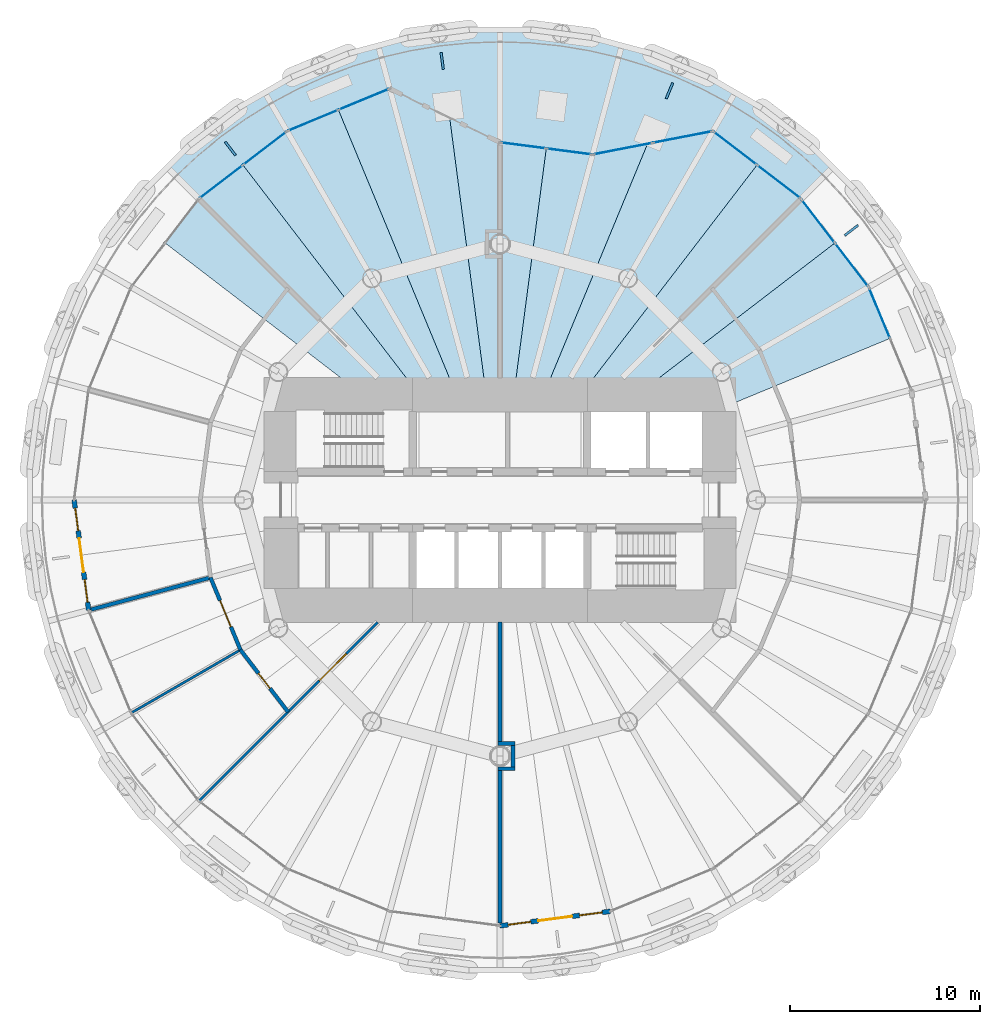
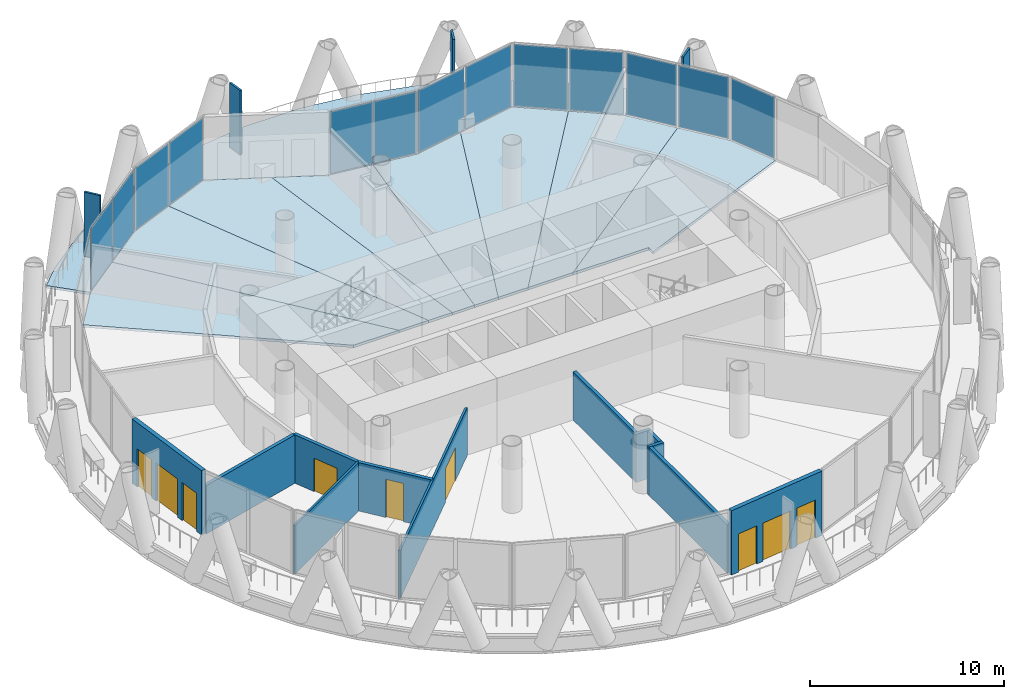
# One storey, part 9 of 15: 17 plates, 12 walls, 9 slabs, 5 doors, 4 windows, 9 openings, 7 elements without a shape of their own.
"""IFC4 building model written with IfcOpenShell, lengths in metres."""

import ifcopenshell
import ifcopenshell.guid

model = None  # the IFC model being written
_history = None  # IfcOwnerHistory: only IFC2X3 demands one
_inside = {}  # id of a spatial element -> (the spatial element, [elements in it])
_under = {}  # id of a project, library or spatial element -> (it, [spatial elements below it])
_declared = {}  # id of a project -> (the project, [libraries it declares])
_typed = {}  # id of a type object -> (the type object, [elements of that type])
_made_of = {}  # id of a material, layer set ... -> (it, [elements and type objects made of it])


def new_model(schema):
    """Start an empty IFC model of exactly this schema.

    Asked for "IFC4X3", IfcOpenShell would pick the latest addendum, in which some entities
    have other attributes; the version numbers below select the first issue.
    IFC2X3 requires an IfcOwnerHistory on every rooted entity: one is made here for all.
    """
    global model, _history
    if schema == "IFC4X3":
        model = ifcopenshell.file(schema_version=(4, 3, 0, 0))
    else:
        model = ifcopenshell.file(schema=schema)
    _inside.clear()
    _under.clear()
    _declared.clear()
    _typed.clear()
    _made_of.clear()
    _history = None
    if model.schema == "IFC2X3":
        org = make("IfcOrganization", Name="unknown")
        user = make(
            "IfcPersonAndOrganization",
            ThePerson=make("IfcPerson", FamilyName="unknown"),
            TheOrganization=org,
        )
        app = make(
            "IfcApplication",
            ApplicationDeveloper=org,
            Version="unknown",
            ApplicationFullName="unknown",
            ApplicationIdentifier="unknown",
        )
        _history = make(
            "IfcOwnerHistory",
            OwningUser=user,
            OwningApplication=app,
            ChangeAction="ADDED",
            CreationDate=0,
        )
    return model


def make(cls, **values):
    """One entity of the class cls with the attributes given. An attribute that is None is left unset."""
    return model.create_entity(
        cls, **{name: value for name, value in values.items() if value is not None}
    )


def rooted(cls, **values):
    """An entity with a GlobalId (a new one), such as an element, a storey or a relation."""
    return make(cls, GlobalId=ifcopenshell.guid.new(), OwnerHistory=_history, **values)


def si_unit(unit_type, name, prefix=None):
    """IfcSIUnit, for example si_unit("LENGTHUNIT", "METRE", prefix="MILLI")."""
    return make("IfcSIUnit", UnitType=unit_type, Prefix=prefix, Name=name)


def assignment(units):
    """IfcUnitAssignment: the units of a project."""
    return None if units is None else make("IfcUnitAssignment", Units=units)


def point(xyz):
    """IfcCartesianPoint."""
    return None if xyz is None else make("IfcCartesianPoint", Coordinates=xyz)


def direction(xyz):
    """IfcDirection."""
    return None if xyz is None else make("IfcDirection", DirectionRatios=xyz)


def frame(location, z_axis=None, x_axis=None):
    """IfcAxis2Placement3D, a coordinate frame: its origin and axes. An axis left out is left unset."""
    return make(
        "IfcAxis2Placement3D",
        Location=point(location),
        Axis=direction(z_axis),
        RefDirection=direction(x_axis),
    )


def frame_2d(location, x_axis=None):
    """IfcAxis2Placement2D, a coordinate frame in the plane: its origin and x axis."""
    return make(
        "IfcAxis2Placement2D", Location=point(location), RefDirection=direction(x_axis)
    )


def origin():
    """The frame at (0, 0, 0) with its axes left unset."""
    return frame((0.0, 0.0, 0.0))


def origin_2d():
    """The frame at (0, 0) in the plane with its x axis left unset."""
    return frame_2d((0.0, 0.0))


def place(relative_to, where):
    """IfcLocalPlacement: puts the frame where relative to a parent placement (None: the world)."""
    return make(
        "IfcLocalPlacement", PlacementRelTo=relative_to, RelativePlacement=where
    )


def context(
    kind, dimensions, precision=None, world=None, true_north=None, identifier=None
):
    """IfcGeometricRepresentationContext, for example the 3D "Model" context."""
    return make(
        "IfcGeometricRepresentationContext",
        ContextIdentifier=identifier,
        ContextType=kind,
        CoordinateSpaceDimension=dimensions,
        Precision=precision,
        WorldCoordinateSystem=world,
        TrueNorth=true_north,
    )


def subcontext(parent, identifier, kind, view, scale=None):
    """IfcGeometricRepresentationSubContext, for example "Body" below "Model"."""
    return make(
        "IfcGeometricRepresentationSubContext",
        ContextIdentifier=identifier,
        ContextType=kind,
        ParentContext=parent,
        TargetScale=scale,
        TargetView=view,
    )


def project(units=None, contexts=None):
    """IfcProject with its units and contexts."""
    return rooted(
        "IfcProject",
        Name="project",
        RepresentationContexts=contexts,
        UnitsInContext=assignment(units),
    )


def spatial(cls, under=None, at=None, **own):
    """A site, building, storey or space (cls), placed at a placement, below another one or the project."""
    s = rooted(cls, ObjectPlacement=at, **own)
    if under is not None:
        _under.setdefault(under.id(), (under, []))[1].append(s)
    return s


def polyline(points):
    """IfcPolyline through the points."""
    return make("IfcPolyline", Points=[point(p) for p in points])


def profile(cls, at=None, kind="AREA", **sizes):
    """A parametric profile (cls). Its sizes go by their IFC names, for example OverallWidth=200.0."""
    return make(cls, ProfileType=kind, Position=at, **sizes)


def rectangle(**sizes):
    """IfcRectangleProfileDef."""
    return profile("IfcRectangleProfileDef", **sizes)


def outline(outer, holes=None, kind="AREA"):
    """IfcArbitraryClosedProfileDef: a profile drawn as a closed curve; with holes, ...WithVoids."""
    if holes is None:
        return make("IfcArbitraryClosedProfileDef", ProfileType=kind, OuterCurve=outer)
    return make(
        "IfcArbitraryProfileDefWithVoids",
        ProfileType=kind,
        OuterCurve=outer,
        InnerCurves=holes,
    )


def extrude(swept, where, along, depth):
    """IfcExtrudedAreaSolid: the profile swept, set in the frame where, extruded along a direction by depth."""
    return make(
        "IfcExtrudedAreaSolid",
        SweptArea=swept,
        Position=where,
        ExtrudedDirection=direction(along),
        Depth=depth,
    )


def shape(context_of_items, identifier, shape_type, items):
    """IfcShapeRepresentation: the items that make up one representation, for example the "Body"."""
    return make(
        "IfcShapeRepresentation",
        ContextOfItems=context_of_items,
        RepresentationIdentifier=identifier,
        RepresentationType=shape_type,
        Items=items,
    )


def material(Name=None, Category=None):
    """IfcMaterial."""
    return make("IfcMaterial", Name=Name, Category=Category)


def layer(
    of_material, thickness, ventilated=None, Name=None, Category=None, Priority=None
):
    """IfcMaterialLayer: one layer of a wall or slab, of a material (None: an air gap)."""
    return make(
        "IfcMaterialLayer",
        Material=of_material,
        LayerThickness=thickness,
        IsVentilated=ventilated,
        Name=Name,
        Category=Category,
        Priority=Priority,
    )


def layer_set(layers, Name=None):
    """IfcMaterialLayerSet."""
    return make("IfcMaterialLayerSet", MaterialLayers=layers, LayerSetName=Name)


def made_of(thing, what):
    """Note that an element or type object is made of a material, layer set ...; save() writes the relation."""
    if what is not None:
        _made_of.setdefault(what.id(), (what, []))[1].append(thing)
    return thing


def type_object(cls, material=None, **own):
    """A type object (cls), such as IfcWallType, which elements share."""
    return made_of(rooted(cls, **own), material)


def element(
    cls,
    number,
    at=None,
    inside=None,
    cuts=None,
    type_object=None,
    material=None,
    context=None,
    identifier="Body",
    shape_type=None,
    held_by="IfcProductDefinitionShape",
    body=None,
    shapes=None,
    **own,
):
    """One element of the class cls, such as IfcWall. Its Tag is "e" and its number.

    at: its placement. inside: the storey or other place that contains it. cuts: it is an
    opening in that element (IfcRelVoidsElement). A single representation is given by context,
    identifier, shape_type and body (its items); several are given by shapes. held_by: the class
    of the entity that holds the representations. save() writes the other relations.
    """
    e = rooted(cls, Tag="e%d" % number, ObjectPlacement=at, **own)
    if body is not None:
        shapes = [shape(context, identifier, shape_type, body)]
    if shapes is not None:
        e.Representation = make(held_by, Representations=shapes)
    if inside is not None:
        _inside.setdefault(inside.id(), (inside, []))[1].append(e)
    if cuts is not None:
        rooted(
            "IfcRelVoidsElement", RelatingBuildingElement=cuts, RelatedOpeningElement=e
        )
    if type_object is not None:
        _typed.setdefault(type_object.id(), (type_object, []))[1].append(e)
    return made_of(e, material)


def fill(opening, filler):
    """IfcRelFillsElement: the door or window that sits in an opening."""
    return rooted(
        "IfcRelFillsElement",
        RelatingOpeningElement=opening,
        RelatedBuildingElement=filler,
    )


def aggregate(whole, parts):
    """IfcRelAggregates: a whole, such as a stair, and the parts it consists of."""
    return rooted("IfcRelAggregates", RelatingObject=whole, RelatedObjects=parts)


def save(model, path):
    """Write the relations noted so far, then the file.

    IfcRelAggregates (storeys below a building ...), IfcRelContainedInSpatialStructure (elements
    in a storey), IfcRelDefinesByType, IfcRelAssociatesMaterial and IfcRelDeclares: one each for
    every whole, place, type object, material and project.
    """
    for whole, parts in _under.values():
        aggregate(whole, parts)
    for where, things in _inside.values():
        rooted(
            "IfcRelContainedInSpatialStructure",
            RelatedElements=things,
            RelatingStructure=where,
        )
    for kind, things in _typed.values():
        rooted("IfcRelDefinesByType", RelatedObjects=things, RelatingType=kind)
    for what, things in _made_of.values():
        rooted("IfcRelAssociatesMaterial", RelatedObjects=things, RelatingMaterial=what)
    for by, libraries in _declared.values():
        rooted("IfcRelDeclares", RelatingContext=by, RelatedDefinitions=libraries)
    model.write(path)


model = new_model("IFC4")

# Units and contexts
model_context = context("Model", 3, precision=1e-05, world=origin(), true_north=direction((0.0, 1.0)))
body_context = subcontext(model_context, "Body", "Model", "MODEL_VIEW")
ifc_project = project(units=[si_unit("LENGTHUNIT", "METRE"), si_unit("AREAUNIT", "SQUARE_METRE"), si_unit("VOLUMEUNIT", "CUBIC_METRE"), si_unit("PLANEANGLEUNIT", "RADIAN"), si_unit("MASSUNIT", "GRAM", prefix="KILO")], contexts=[model_context])

# Site, building, storey
site_placement = place(None, origin())
site = spatial("IfcSite", under=ifc_project, at=site_placement, CompositionType="ELEMENT")
building_placement = place(site_placement, origin())
building = spatial("IfcBuilding", under=site, at=building_placement, Name="Qaws Media Tower", CompositionType="ELEMENT")
storey_placement = place(building_placement, frame((0.0, 0.0, 147.800048828125)))
storey = spatial("IfcBuildingStorey", under=building, at=storey_placement, Name="L33", CompositionType="ELEMENT", Elevation=147.800048828125)

# Slabs
ifc_material_1 = material(Name="Concrete C35/45", Category="concrete")
ifc_layer_1 = layer(ifc_material_1, 0.159912109375)
ifc_layer_set_1 = layer_set([ifc_layer_1], Name="Composite balcony slab 160")
slab_type_1 = type_object("IfcSlabType", Name="Composite balcony slab 160", PredefinedType="FLOOR", material=ifc_layer_set_1)
slab_1_placement = place(storey_placement, frame((0.0, 0.0, -0.16015625)))
element("IfcSlab", 1, at=slab_1_placement, inside=storey, type_object=slab_type_1, Name="S2 balcony slab L33 R04 to R10, movement joints on R04 and R10", PredefinedType="FLOOR", context=body_context, shape_type="SweptSolid", body=[
    extrude(outline(polyline([(43.615234375, 68.68310546875), (46.194091796875, 70.662109375), (49.009033203125, 72.287353515625), (52.01220703125, 73.53125), (55.152099609375, 74.37255859375), (58.374755859375, 74.796875), (61.625244140625, 74.796875), (64.847900390625, 74.37255859375), (67.98779296875, 73.53125), (70.990966796875, 72.287353515625), (73.805908203125, 70.662109375), (76.384765625, 68.68310546875), (77.533935546875, 67.533935546875), (75.87451171875, 65.87451171875), (71.22509765625, 69.4423828125), (64.878662109375, 68.207763671875), (60.0, 68.85009765625), (54.189453125, 71.68505859375), (48.77490234375, 69.4423828125), (44.12548828125, 65.87451171875), (42.466064453125, 67.533935546875), (43.615234375, 68.68310546875)])), origin(), (0.0, 0.0, 1.0), 0.16015625),
])
ifc_material_2 = material(Name="Concrete C35/45", Category="concrete")
ifc_layer_2 = layer(ifc_material_2, 0.159912109375)
ifc_layer_set_2 = layer_set([ifc_layer_2], Name="Composite floor slab 160")
slab_type_2 = type_object("IfcSlabType", Name="Composite floor slab 160", PredefinedType="FLOOR", material=ifc_layer_set_2)
slab_2_placement = place(storey_placement, frame((0.0, 0.0, -0.16015625)))
element("IfcSlab", 2, at=slab_2_placement, inside=storey, type_object=slab_type_2, Name="S1 floor panel L33 on R03", PredefinedType="FLOOR", context=body_context, shape_type="SweptSolid", body=[
    extrude(outline(polyline([(79.4423828125, 61.22509765625), (80.563720703125, 58.517578125), (71.0, 54.556396484375), (71.0, 55.0), (66.51611328125, 55.0), (77.658447265625, 63.5498046875), (79.4423828125, 61.22509765625)])), origin(), (0.0, 0.0, 1.0), 0.16015625),
])
slab_3_placement = place(storey_placement, frame((0.0, 0.0, -0.16015625)))
element("IfcSlab", 3, at=slab_3_placement, inside=storey, type_object=slab_type_2, Name="S1 floor panel L33 on R04", PredefinedType="FLOOR", context=body_context, shape_type="SweptSolid", body=[
    extrude(outline(polyline([(75.87451171875, 65.87451171875), (77.658447265625, 63.5498046875), (66.51611328125, 55.0), (63.836669921875, 55.0), (73.5498046875, 67.658447265625), (75.87451171875, 65.87451171875)])), origin(), (0.0, 0.0, 1.0), 0.16015625),
])
slab_4_placement = place(storey_placement, frame((0.0, 0.0, -0.16015625)))
element("IfcSlab", 4, at=slab_4_placement, inside=storey, type_object=slab_type_2, Name="S1 floor panel L33 on R05", PredefinedType="FLOOR", context=body_context, shape_type="SweptSolid", body=[
    extrude(outline(polyline([(71.22509765625, 69.4423828125), (73.5498046875, 67.658447265625), (63.836669921875, 55.0), (62.071044921875, 55.0), (67.775390625, 68.771240234375), (71.22509765625, 69.4423828125)])), origin(), (0.0, 0.0, 1.0), 0.16015625),
])
slab_5_placement = place(storey_placement, frame((0.0, 0.0, -0.16015625)))
element("IfcSlab", 5, at=slab_5_placement, inside=storey, type_object=slab_type_2, Name="S1 floor panel L33 on R06", PredefinedType="FLOOR", context=body_context, shape_type="SweptSolid", body=[
    extrude(outline(polyline([(64.878662109375, 68.207763671875), (67.775390625, 68.771240234375), (62.071044921875, 55.0), (60.658203125, 55.0), (62.439453125, 68.52880859375), (64.878662109375, 68.207763671875)])), origin(), (0.0, 0.0, 1.0), 0.16015625),
])
slab_6_placement = place(storey_placement, frame((0.0, 0.0, -0.16015625)))
element("IfcSlab", 6, at=slab_6_placement, inside=storey, type_object=slab_type_2, Name="S1 floor panel L33 on R07", PredefinedType="FLOOR", context=body_context, shape_type="SweptSolid", body=[
    extrude(outline(polyline([(60.0, 68.85009765625), (62.439453125, 68.52880859375), (60.658203125, 55.0), (59.341796875, 55.0), (57.347900390625, 70.14404296875), (60.0, 68.85009765625)])), origin(), (0.0, 0.0, 1.0), 0.16015625),
])
slab_7_placement = place(storey_placement, frame((0.0, 0.0, -0.16015625)))
element("IfcSlab", 7, at=slab_7_placement, inside=storey, type_object=slab_type_2, Name="S1 floor panel L33 on R08", PredefinedType="FLOOR", context=body_context, shape_type="SweptSolid", body=[
    extrude(outline(polyline([(54.189453125, 71.68505859375), (57.347900390625, 70.14404296875), (59.341796875, 55.0), (57.928955078125, 55.0), (51.482421875, 70.563720703125), (54.189453125, 71.68505859375)])), origin(), (0.0, 0.0, 1.0), 0.16015625),
])
slab_8_placement = place(storey_placement, frame((0.0, 0.0, -0.16015625)))
element("IfcSlab", 8, at=slab_8_placement, inside=storey, type_object=slab_type_2, Name="S1 floor panel L33 on R09", PredefinedType="FLOOR", context=body_context, shape_type="SweptSolid", body=[
    extrude(outline(polyline([(48.77490234375, 69.4423828125), (51.482421875, 70.563720703125), (57.928955078125, 55.0), (56.163330078125, 55.0), (46.4501953125, 67.658447265625), (48.77490234375, 69.4423828125)])), origin(), (0.0, 0.0, 1.0), 0.16015625),
])
slab_9_placement = place(storey_placement, frame((0.0, 0.0, -0.16015625)))
element("IfcSlab", 9, at=slab_9_placement, inside=storey, type_object=slab_type_2, Name="S1 floor panel L33 on R10", PredefinedType="FLOOR", context=body_context, shape_type="SweptSolid", body=[
    extrude(outline(polyline([(44.12548828125, 65.87451171875), (46.4501953125, 67.658447265625), (56.163330078125, 55.0), (53.48388671875, 55.0), (42.341552734375, 63.5498046875), (44.12548828125, 65.87451171875)])), origin(), (0.0, 0.0, 1.0), 0.16015625),
])

# Curtain wall, plate
ifc_material_3 = material(Name="Aluminium and clear glass", Category="aluminium")
curtain_wall_type_1 = type_object("IfcCurtainWallType", Name="Unitised curtain wall CW-B", PredefinedType="NOTDEFINED", material=ifc_material_3)
curtain_wall_1_placement = place(storey_placement, origin())
curtain_wall_1 = element("IfcCurtainWall", 10, at=curtain_wall_1_placement, inside=storey, type_object=curtain_wall_type_1, Name="CWB curtain wall L33-02", PredefinedType="NOTDEFINED")
ifc_material_4 = material(Name="Clear laminated double glazing", Category="glass")
ifc_layer_3 = layer(ifc_material_4, 0.031982421875)
ifc_layer_set_3 = layer_set([ifc_layer_3], Name="Curtain wall glass unit 32")
plate_type_1 = type_object("IfcPlateType", Name="Curtain wall glass unit 32", PredefinedType="CURTAIN_PANEL", material=ifc_layer_set_3)
plate_1_placement = place(storey_placement, frame((80.010498046875, 59.852783203125, 0.080078125), z_axis=(0.0, 0.0, 1.0), x_axis=(-0.382683533725, 0.923879490527, 0.0)))
plate_1 = element("IfcPlate", 11, at=plate_1_placement, type_object=plate_type_1, Name="CWB panel 2.1", PredefinedType="CURTAIN_PANEL", context=body_context, shape_type="SweptSolid", body=[
    extrude(rectangle(XDim=2.810302734375, YDim=0.031982421875, at=origin_2d()), origin(), (0.0, 0.0, 1.0), 3.8798828125),
])
aggregate(curtain_wall_1, [plate_1])

# Curtain wall, plates
curtain_wall_2_placement = place(storey_placement, origin())
curtain_wall_2 = element("IfcCurtainWall", 12, at=curtain_wall_2_placement, inside=storey, type_object=curtain_wall_type_1, Name="CWB curtain wall L33-03", PredefinedType="NOTDEFINED")
plate_2_placement = place(storey_placement, frame((78.5380859375, 62.4033203125, 0.080078125), z_axis=(0.0, 0.0, 1.0), x_axis=(-0.608761440294, 0.793353331632, 0.0)))
plate_2 = element("IfcPlate", 13, at=plate_2_placement, type_object=plate_type_1, Name="CWB panel 1.1", PredefinedType="CURTAIN_PANEL", context=body_context, shape_type="SweptSolid", body=[
    extrude(rectangle(XDim=2.810302734375, YDim=0.031982421875, at=origin_2d()), origin(), (0.0, 0.0, 1.0), 3.8798828125),
])
plate_3_placement = place(storey_placement, frame((76.778564453125, 64.6962890625, 0.080078125), z_axis=(0.0, 0.0, 1.0), x_axis=(-0.608761440294, 0.793353331632, 0.0)))
plate_3 = element("IfcPlate", 14, at=plate_3_placement, type_object=plate_type_1, Name="CWB panel 2.1", PredefinedType="CURTAIN_PANEL", context=body_context, shape_type="SweptSolid", body=[
    extrude(rectangle(XDim=2.810302734375, YDim=0.031982421875, at=origin_2d()), origin(), (0.0, 0.0, 1.0), 3.8798828125),
])
aggregate(curtain_wall_2, [plate_2, plate_3])

curtain_wall_3_placement = place(storey_placement, origin())
curtain_wall_3 = element("IfcCurtainWall", 15, at=curtain_wall_3_placement, inside=storey, type_object=curtain_wall_type_1, Name="CWB curtain wall L33-04", PredefinedType="NOTDEFINED")
plate_4_placement = place(storey_placement, frame((74.6962890625, 66.778564453125, 0.080078125), z_axis=(0.0, 0.0, 1.0), x_axis=(-0.793353331632, 0.608761440294, 0.0)))
plate_4 = element("IfcPlate", 16, at=plate_4_placement, type_object=plate_type_1, Name="CWB panel 1.1", PredefinedType="CURTAIN_PANEL", context=body_context, shape_type="SweptSolid", body=[
    extrude(rectangle(XDim=2.810302734375, YDim=0.031982421875, at=origin_2d()), origin(), (0.0, 0.0, 1.0), 3.8798828125),
])
plate_5_placement = place(storey_placement, frame((72.4033203125, 68.5380859375, 0.080078125), z_axis=(0.0, 0.0, 1.0), x_axis=(-0.793353331632, 0.608761440294, 0.0)))
plate_5 = element("IfcPlate", 17, at=plate_5_placement, type_object=plate_type_1, Name="CWB panel 2.1", PredefinedType="CURTAIN_PANEL", context=body_context, shape_type="SweptSolid", body=[
    extrude(rectangle(XDim=2.810302734375, YDim=0.031982421875, at=origin_2d()), origin(), (0.0, 0.0, 1.0), 3.8798828125),
])
aggregate(curtain_wall_3, [plate_4, plate_5])

ifc_material_5 = material(Name="Aluminium and clear glass", Category="aluminium")
curtain_wall_type_2 = type_object("IfcCurtainWallType", Name="Loggia curtain wall CW-G", PredefinedType="NOTDEFINED", material=ifc_material_5)
curtain_wall_4_placement = place(storey_placement, origin())
curtain_wall_4 = element("IfcCurtainWall", 18, at=curtain_wall_4_placement, inside=storey, type_object=curtain_wall_type_2, Name="CWG curtain wall L33-05", PredefinedType="NOTDEFINED")
plate_6_placement = place(storey_placement, frame((69.618896484375, 69.1298828125, 0.080078125), z_axis=(0.0, 0.0, 1.0), x_axis=(-0.981598786204, -0.190955028534, 0.0)))
plate_6 = element("IfcPlate", 19, at=plate_6_placement, type_object=plate_type_1, Name="CWG panel 1.1", PredefinedType="CURTAIN_PANEL", context=body_context, shape_type="SweptSolid", body=[
    extrude(rectangle(XDim=3.112548828125, YDim=0.031982421875, at=origin_2d()), origin(), (0.0, 0.0, 1.0), 3.8798828125),
])
plate_7_placement = place(storey_placement, frame((66.48486328125, 68.520263671875, 0.080078125), z_axis=(0.0, 0.0, 1.0), x_axis=(-0.981598786204, -0.190955028534, 0.0)))
plate_7 = element("IfcPlate", 20, at=plate_7_placement, type_object=plate_type_1, Name="CWG panel 2.1", PredefinedType="CURTAIN_PANEL", context=body_context, shape_type="SweptSolid", body=[
    extrude(rectangle(XDim=3.112548828125, YDim=0.031982421875, at=origin_2d()), origin(), (0.0, 0.0, 1.0), 3.8798828125),
])
aggregate(curtain_wall_4, [plate_6, plate_7])

curtain_wall_5_placement = place(storey_placement, origin())
curtain_wall_5 = element("IfcCurtainWall", 21, at=curtain_wall_5_placement, inside=storey, type_object=curtain_wall_type_2, Name="CWG curtain wall L33-06", PredefinedType="NOTDEFINED")
plate_8_placement = place(storey_placement, frame((63.63916015625, 68.370849609375, 0.080078125), z_axis=(0.0, 0.0, 1.0), x_axis=(-0.991444865962, 0.13052615737, 0.0)))
plate_8 = element("IfcPlate", 22, at=plate_8_placement, type_object=plate_type_1, Name="CWG panel 1.1", PredefinedType="CURTAIN_PANEL", context=body_context, shape_type="SweptSolid", body=[
    extrude(rectangle(XDim=2.34033203125, YDim=0.031982421875, at=origin_2d()), origin(), (0.0, 0.0, 1.0), 3.8798828125),
])
plate_9_placement = place(storey_placement, frame((61.239501953125, 68.686767578125, 0.080078125), z_axis=(0.0, 0.0, 1.0), x_axis=(-0.991444865962, 0.13052615737, 0.0)))
plate_9 = element("IfcPlate", 23, at=plate_9_placement, type_object=plate_type_1, Name="CWG panel 2.1", PredefinedType="CURTAIN_PANEL", context=body_context, shape_type="SweptSolid", body=[
    extrude(rectangle(XDim=2.34033203125, YDim=0.031982421875, at=origin_2d()), origin(), (0.0, 0.0, 1.0), 3.8798828125),
])
aggregate(curtain_wall_5, [plate_8, plate_9])

curtain_wall_6_placement = place(storey_placement, origin())
curtain_wall_6 = element("IfcCurtainWall", 24, at=curtain_wall_6_placement, inside=storey, type_object=curtain_wall_type_1, Name="CWB curtain wall L33-08", PredefinedType="NOTDEFINED")
plate_10_placement = place(storey_placement, frame((52.8173828125, 71.11669921875, 0.080078125), z_axis=(0.0, 0.0, 1.0), x_axis=(-0.923879490527, -0.382683533725, 0.0)))
plate_10 = element("IfcPlate", 25, at=plate_10_placement, type_object=plate_type_1, Name="CWB panel 1.1", PredefinedType="CURTAIN_PANEL", context=body_context, shape_type="SweptSolid", body=[
    extrude(rectangle(XDim=2.810302734375, YDim=0.031982421875, at=origin_2d()), origin(), (0.0, 0.0, 1.0), 3.8798828125),
])
plate_11_placement = place(storey_placement, frame((50.147216796875, 70.010498046875, 0.080078125), z_axis=(0.0, 0.0, 1.0), x_axis=(-0.923879490527, -0.382683533725, 0.0)))
plate_11 = element("IfcPlate", 26, at=plate_11_placement, type_object=plate_type_1, Name="CWB panel 2.1", PredefinedType="CURTAIN_PANEL", context=body_context, shape_type="SweptSolid", body=[
    extrude(rectangle(XDim=2.810302734375, YDim=0.031982421875, at=origin_2d()), origin(), (0.0, 0.0, 1.0), 3.8798828125),
])
aggregate(curtain_wall_6, [plate_10, plate_11])

curtain_wall_7_placement = place(storey_placement, origin())
curtain_wall_7 = element("IfcCurtainWall", 27, at=curtain_wall_7_placement, inside=storey, type_object=curtain_wall_type_1, Name="CWB curtain wall L33-09", PredefinedType="NOTDEFINED")
plate_12_placement = place(storey_placement, frame((47.5966796875, 68.5380859375, 0.080078125), z_axis=(0.0, 0.0, 1.0), x_axis=(-0.793353331632, -0.608761440294, 0.0)))
plate_12 = element("IfcPlate", 28, at=plate_12_placement, type_object=plate_type_1, Name="CWB panel 1.1", PredefinedType="CURTAIN_PANEL", context=body_context, shape_type="SweptSolid", body=[
    extrude(rectangle(XDim=2.810302734375, YDim=0.031982421875, at=origin_2d()), origin(), (0.0, 0.0, 1.0), 3.8798828125),
])
plate_13_placement = place(storey_placement, frame((45.3037109375, 66.778564453125, 0.080078125), z_axis=(0.0, 0.0, 1.0), x_axis=(-0.793353331632, -0.608761440294, 0.0)))
plate_13 = element("IfcPlate", 29, at=plate_13_placement, type_object=plate_type_1, Name="CWB panel 2.1", PredefinedType="CURTAIN_PANEL", context=body_context, shape_type="SweptSolid", body=[
    extrude(rectangle(XDim=2.810302734375, YDim=0.031982421875, at=origin_2d()), origin(), (0.0, 0.0, 1.0), 3.8798828125),
])
aggregate(curtain_wall_7, [plate_12, plate_13])

# Plates
ifc_material_6 = material(Name="Precast concrete screen fin", Category="concrete")
ifc_layer_4 = layer(ifc_material_6, 0.1201171875)
ifc_layer_set_4 = layer_set([ifc_layer_4], Name="Screen fin 120x900")
plate_type_2 = type_object("IfcPlateType", Name="Screen fin 120x900", PredefinedType="USERDEFINED", material=ifc_layer_set_4)
for number, where, z_axis, x_axis, name in (
    (30, (78.52490234375, 64.214599609375, 0.0), (0.0, 0.0, 1.0), (0.793353340291, 0.608761429009, 0.0), "SCR1 screen fin L33-02"),
    (31, (68.935546875, 71.572509765625, 0.0), (0.0, 0.0, 1.0), (0.382683432365, 0.923879532511, 0.0), "SCR1 screen fin L33-03"),
    (32, (56.9521484375, 73.150146484375, 0.0), (0.0, 0.0, 1.0), (-0.13052619222, 0.991444861374, 0.0), "SCR1 screen fin L33-04"),
    (33, (45.785400390625, 68.52490234375, 0.0), (0.0, 0.0, 1.0), (-0.608761429009, 0.793353340291, 0.0), "SCR1 screen fin L33-05"),
):
    element("IfcPlate", number, at=place(storey_placement, frame(where, z_axis=z_axis, x_axis=x_axis)), inside=storey, type_object=plate_type_2, Name=name, ObjectType="SCREEN", PredefinedType="USERDEFINED", context=body_context, shape_type="SweptSolid", body=[
        extrude(rectangle(XDim=0.89990234375, YDim=0.1201171875, at=origin_2d()), origin(), (0.0, 0.0, 1.0), 4.0400390625),
    ])

# Wall, openings, door, windows
ifc_material_7 = material(Name="Precast concrete, exposed finish", Category="concrete")
ifc_layer_5 = layer(ifc_material_7, 0.25)
ifc_layer_set_5 = layer_set([ifc_layer_5], Name="Balcony door wall 250")
wall_type_1 = type_object("IfcWallType", Name="Balcony door wall 250", PredefinedType="SOLIDWALL", material=ifc_layer_set_5)
wall_1_placement = place(storey_placement, frame((37.550048828125, 50.0, 0.0), z_axis=(0.0, 0.0, 1.0), x_axis=(0.130512702292, -0.991446637263, 0.0)))
wall_1 = element("IfcWall", 34, at=wall_1_placement, inside=storey, type_object=wall_type_1, Name="W194 EW1 balcony door wall L33-13", PredefinedType="SOLIDWALL", context=body_context, shape_type="SweptSolid", body=[
    extrude(rectangle(XDim=5.860595703125, YDim=0.25, at=frame_2d((2.93017578125, 0.0))), origin(), (0.0, 0.0, 1.0), 4.0400390625),
])
opening_1_placement = place(wall_1_placement, frame((2.0302734375, 0.0, 0.0)))
opening_1 = element("IfcOpeningElement", 35, at=opening_1_placement, cuts=wall_1, Name="Opening D7", PredefinedType="OPENING", context=body_context, shape_type="SweptSolid", body=[
    extrude(rectangle(XDim=1.800048828125, YDim=2.39990234375, at=frame_2d((0.89990234375, 1.199951171875))), frame((0.0, 0.135009765625, 0.0), z_axis=(0.0, -1.0, 0.0), x_axis=(1.0, 0.0, 0.0)), (0.0, 0.0, 1.0), 0.27001953125),
])
opening_2_placement = place(wall_1_placement, frame((0.430419921875, 0.0, 0.0)))
opening_2 = element("IfcOpeningElement", 36, at=opening_2_placement, cuts=wall_1, Name="Opening W1", PredefinedType="OPENING", context=body_context, shape_type="SweptSolid", body=[
    extrude(rectangle(XDim=1.199951171875, YDim=2.39990234375, at=frame_2d((0.60009765625, 1.199951171875))), frame((0.0, 0.135009765625, 0.0), z_axis=(0.0, -1.0, 0.0), x_axis=(1.0, 0.0, 0.0)), (0.0, 0.0, 1.0), 0.27001953125),
])
opening_3_placement = place(wall_1_placement, frame((4.230224609375, 0.0, 0.0)))
opening_3 = element("IfcOpeningElement", 37, at=opening_3_placement, cuts=wall_1, Name="Opening W1", PredefinedType="OPENING", context=body_context, shape_type="SweptSolid", body=[
    extrude(rectangle(XDim=1.199951171875, YDim=2.39990234375, at=frame_2d((0.60009765625, 1.199951171875))), frame((0.0, 0.135009765625, 0.0), z_axis=(0.0, -1.0, 0.0), x_axis=(1.0, 0.0, 0.0)), (0.0, 0.0, 1.0), 0.27001953125),
])
ifc_material_8 = material(Name="Aluminium and clear glass", Category="aluminium")
door_type_1 = type_object("IfcDoorType", Name="Balcony door pair 1800", OperationType="DOUBLE_DOOR_SLIDING", PredefinedType="DOOR", material=ifc_material_8)
door_1_placement = place(opening_1_placement, origin())
door_1 = element("IfcDoor", 38, at=door_1_placement, inside=storey, type_object=door_type_1, Name="D7 balcony door L33-13 in wall W194", OperationType="DOUBLE_DOOR_SLIDING", OverallHeight=2.39990234375, OverallWidth=1.800048828125, PredefinedType="DOOR", context=body_context, shape_type="SweptSolid", body=[
    extrude(rectangle(XDim=1.800048828125, YDim=2.39990234375, at=frame_2d((0.89990234375, 1.199951171875))), frame((0.0, 0.02490234375, 0.0), z_axis=(0.0, -1.0, 0.0), x_axis=(1.0, 0.0, 0.0)), (0.0, 0.0, 1.0), 0.050048828125),
])
fill(opening_1, door_1)
ifc_material_9 = material(Name="Aluminium and clear glass", Category="aluminium")
window_type = type_object("IfcWindowType", Name="Balcony side window 1200", PartitioningType="SINGLE_PANEL", PredefinedType="WINDOW", material=ifc_material_9)
window_1_placement = place(opening_2_placement, origin())
window_1 = element("IfcWindow", 39, at=window_1_placement, inside=storey, type_object=window_type, Name="W1 balcony side light L33-13L", OverallHeight=2.39990234375, OverallWidth=1.199951171875, PartitioningType="SINGLE_PANEL", PredefinedType="WINDOW", context=body_context, shape_type="SweptSolid", body=[
    extrude(rectangle(XDim=1.199951171875, YDim=2.39990234375, at=frame_2d((0.60009765625, 1.199951171875))), frame((0.0, 0.030029296875, 0.0), z_axis=(0.0, -1.0, 0.0), x_axis=(1.0, 0.0, 0.0)), (0.0, 0.0, 1.0), 0.06005859375),
])
fill(opening_2, window_1)
window_2_placement = place(opening_3_placement, origin())
window_2 = element("IfcWindow", 40, at=window_2_placement, inside=storey, type_object=window_type, Name="W1 balcony side light L33-13R", OverallHeight=2.39990234375, OverallWidth=1.199951171875, PartitioningType="SINGLE_PANEL", PredefinedType="WINDOW", context=body_context, shape_type="SweptSolid", body=[
    extrude(rectangle(XDim=1.199951171875, YDim=2.39990234375, at=frame_2d((0.60009765625, 1.199951171875))), frame((0.0, 0.030029296875, 0.0), z_axis=(0.0, -1.0, 0.0), x_axis=(1.0, 0.0, 0.0)), (0.0, 0.0, 1.0), 0.06005859375),
])
fill(opening_3, window_2)

wall_2_placement = place(storey_placement, frame((60.0, 27.550048828125, 0.0), z_axis=(0.0, 0.0, 1.0), x_axis=(0.991446637263, 0.130512702292, 0.0)))
wall_2 = element("IfcWall", 41, at=wall_2_placement, inside=storey, type_object=wall_type_1, Name="W195 EW1 balcony door wall L33-19", PredefinedType="SOLIDWALL", context=body_context, shape_type="SweptSolid", body=[
    extrude(rectangle(XDim=5.860595703125, YDim=0.25, at=frame_2d((2.93017578125, 0.0))), origin(), (0.0, 0.0, 1.0), 4.0400390625),
])
opening_4_placement = place(wall_2_placement, frame((2.0302734375, 0.0, 0.0)))
opening_4 = element("IfcOpeningElement", 42, at=opening_4_placement, cuts=wall_2, Name="Opening D7", PredefinedType="OPENING", context=body_context, shape_type="SweptSolid", body=[
    extrude(rectangle(XDim=1.800048828125, YDim=2.39990234375, at=frame_2d((0.89990234375, 1.199951171875))), frame((0.0, 0.135009765625, 0.0), z_axis=(0.0, -1.0, 0.0), x_axis=(1.0, 0.0, 0.0)), (0.0, 0.0, 1.0), 0.27001953125),
])
opening_5_placement = place(wall_2_placement, frame((0.430419921875, 0.0, 0.0)))
opening_5 = element("IfcOpeningElement", 43, at=opening_5_placement, cuts=wall_2, Name="Opening W1", PredefinedType="OPENING", context=body_context, shape_type="SweptSolid", body=[
    extrude(rectangle(XDim=1.199951171875, YDim=2.39990234375, at=frame_2d((0.60009765625, 1.199951171875))), frame((0.0, 0.135009765625, 0.0), z_axis=(0.0, -1.0, 0.0), x_axis=(1.0, 0.0, 0.0)), (0.0, 0.0, 1.0), 0.27001953125),
])
opening_6_placement = place(wall_2_placement, frame((4.230224609375, 0.0, 0.0)))
opening_6 = element("IfcOpeningElement", 44, at=opening_6_placement, cuts=wall_2, Name="Opening W1", PredefinedType="OPENING", context=body_context, shape_type="SweptSolid", body=[
    extrude(rectangle(XDim=1.199951171875, YDim=2.39990234375, at=frame_2d((0.60009765625, 1.199951171875))), frame((0.0, 0.135009765625, 0.0), z_axis=(0.0, -1.0, 0.0), x_axis=(1.0, 0.0, 0.0)), (0.0, 0.0, 1.0), 0.27001953125),
])
door_2_placement = place(opening_4_placement, origin())
door_2 = element("IfcDoor", 45, at=door_2_placement, inside=storey, type_object=door_type_1, Name="D7 balcony door L33-19 in wall W195", OperationType="DOUBLE_DOOR_SLIDING", OverallHeight=2.39990234375, OverallWidth=1.800048828125, PredefinedType="DOOR", context=body_context, shape_type="SweptSolid", body=[
    extrude(rectangle(XDim=1.800048828125, YDim=2.39990234375, at=frame_2d((0.89990234375, 1.199951171875))), frame((0.0, 0.02490234375, 0.0), z_axis=(0.0, -1.0, 0.0), x_axis=(1.0, 0.0, 0.0)), (0.0, 0.0, 1.0), 0.050048828125),
])
fill(opening_4, door_2)
window_3_placement = place(opening_5_placement, origin())
window_3 = element("IfcWindow", 46, at=window_3_placement, inside=storey, type_object=window_type, Name="W1 balcony side light L33-19L", OverallHeight=2.39990234375, OverallWidth=1.199951171875, PartitioningType="SINGLE_PANEL", PredefinedType="WINDOW", context=body_context, shape_type="SweptSolid", body=[
    extrude(rectangle(XDim=1.199951171875, YDim=2.39990234375, at=frame_2d((0.60009765625, 1.199951171875))), frame((0.0, 0.030029296875, 0.0), z_axis=(0.0, -1.0, 0.0), x_axis=(1.0, 0.0, 0.0)), (0.0, 0.0, 1.0), 0.06005859375),
])
fill(opening_5, window_3)
window_4_placement = place(opening_6_placement, origin())
window_4 = element("IfcWindow", 47, at=window_4_placement, inside=storey, type_object=window_type, Name="W1 balcony side light L33-19R", OverallHeight=2.39990234375, OverallWidth=1.199951171875, PartitioningType="SINGLE_PANEL", PredefinedType="WINDOW", context=body_context, shape_type="SweptSolid", body=[
    extrude(rectangle(XDim=1.199951171875, YDim=2.39990234375, at=frame_2d((0.60009765625, 1.199951171875))), frame((0.0, 0.030029296875, 0.0), z_axis=(0.0, -1.0, 0.0), x_axis=(1.0, 0.0, 0.0)), (0.0, 0.0, 1.0), 0.06005859375),
])
fill(opening_6, window_4)

# Wall
ifc_material_10 = material(Name="Two layers gypsum board each side on 75 studs, insulated", Category="gypsum")
ifc_layer_6 = layer(ifc_material_10, 0.125)
ifc_layer_set_6 = layer_set([ifc_layer_6], Name="Meeting room partition 125 Rw 48")
wall_type_2 = type_object("IfcWallType", Name="Meeting room partition 125 Rw 48", PredefinedType="PARTITIONING", material=ifc_layer_set_6)
wall_3_placement = place(storey_placement, frame((46.31689453125, 42.10009765625, 0.0), z_axis=(0.0, 0.0, 1.0), x_axis=(-0.866020751647, -0.500008057651, 0.0)))
element("IfcWall", 48, at=wall_3_placement, inside=storey, type_object=wall_type_2, Name="W560 IW5 partition L33", PredefinedType="PARTITIONING", context=body_context, shape_type="SweptSolid", body=[
    extrude(rectangle(XDim=6.6103515625, YDim=0.125, at=frame_2d((3.30517578125, 0.0))), origin(), (0.0, 0.0, 1.0), 3.0400390625),
])

# Wall, opening, door
wall_4_placement = place(storey_placement, frame((53.550048828125, 43.550048828125, 0.0), z_axis=(0.0, 0.0, 1.0), x_axis=(-0.707106781187, -0.707106781187, 0.0)))
wall_4 = element("IfcWall", 49, at=wall_4_placement, inside=storey, type_object=wall_type_2, Name="W561 IW5 partition L33", PredefinedType="PARTITIONING", context=body_context, shape_type="SweptSolid", body=[
    extrude(rectangle(XDim=13.288330078125, YDim=0.125, at=frame_2d((6.64404296875, 0.0))), origin(), (0.0, 0.0, 1.0), 3.02001953125),
])
opening_7_placement = place(wall_4_placement, frame((2.339111328125, 0.0, 0.0)))
opening_7 = element("IfcOpeningElement", 50, at=opening_7_placement, cuts=wall_4, Name="Opening D6", PredefinedType="OPENING", context=body_context, shape_type="SweptSolid", body=[
    extrude(rectangle(XDim=2.0, YDim=2.10009765625, at=frame_2d((1.0, 1.050048828125))), frame((0.0, 0.072509765625, 0.0), z_axis=(0.0, -1.0, 0.0), x_axis=(1.0, 0.0, 0.0)), (0.0, 0.0, 1.0), 0.14501953125),
])
ifc_material_11 = material(Name="Steel, acoustic, fire rated", Category="steel")
door_type_2 = type_object("IfcDoorType", Name="Room door pair 2000", OperationType="DOUBLE_DOOR_DOUBLE_SWING", PredefinedType="DOOR", material=ifc_material_11)
door_3_placement = place(opening_7_placement, origin())
door_3 = element("IfcDoor", 51, at=door_3_placement, inside=storey, type_object=door_type_2, Name="D6 IT project office door L33 in wall W561", OperationType="DOUBLE_DOOR_DOUBLE_SWING", OverallHeight=2.10009765625, OverallWidth=2.0, PredefinedType="DOOR", context=body_context, shape_type="SweptSolid", body=[
    extrude(rectangle(XDim=2.0, YDim=2.10009765625, at=frame_2d((1.0, 1.050048828125))), frame((0.0, 0.02490234375, 0.0), z_axis=(0.0, -1.0, 0.0), x_axis=(1.0, 0.0, 0.0)), (0.0, 0.0, 1.0), 0.050048828125),
])
fill(opening_7, door_3)

ifc_material_12 = material(Name="Gypsum board on galvanised metal studs, acoustic double stud, deflection head", Category="gypsum")
ifc_layer_7 = layer(ifc_material_12, 0.199951171875)
ifc_layer_set_7 = layer_set([ifc_layer_7], Name="Room partition 200")
wall_type_3 = type_object("IfcWallType", Name="Room partition 200", PredefinedType="PARTITIONING", material=ifc_layer_set_7)
wall_5_placement = place(storey_placement, frame((48.82763671875, 38.82763671875, 0.0), z_axis=(0.0, 0.0, 1.0), x_axis=(-0.608714823874, 0.793389099494, 0.0)))
wall_5 = element("IfcWall", 52, at=wall_5_placement, inside=storey, type_object=wall_type_3, Name="W948 IW3 partition L33", PredefinedType="PARTITIONING", context=body_context, shape_type="SweptSolid", body=[
    extrude(rectangle(XDim=4.124755859375, YDim=0.199951171875, at=frame_2d((2.0625, 0.0))), origin(), (0.0, 0.0, 1.0), 3.0400390625),
])
opening_8_placement = place(wall_5_placement, frame((1.562255859375, 0.0, 0.0)))
opening_8 = element("IfcOpeningElement", 53, at=opening_8_placement, cuts=wall_5, Name="Opening D13", PredefinedType="OPENING", context=body_context, shape_type="SweptSolid", body=[
    extrude(rectangle(XDim=1.0, YDim=2.39990234375, at=frame_2d((0.5, 1.199951171875))), frame((0.0, 0.10986328125, 0.0), z_axis=(0.0, -1.0, 0.0), x_axis=(1.0, 0.0, 0.0)), (0.0, 0.0, 1.0), 0.219970703125),
])
ifc_material_13 = material(Name="Frameless toughened glass, acoustic seals", Category="glass")
door_type_3 = type_object("IfcDoorType", Name="Glazed meeting room door 1000x2400", OperationType="SINGLE_SWING_LEFT", PredefinedType="DOOR", material=ifc_material_13)
door_4_placement = place(opening_8_placement, origin())
door_4 = element("IfcDoor", 54, at=door_4_placement, inside=storey, type_object=door_type_3, Name="D13 Meeting room door L33 in wall W948", OperationType="SINGLE_SWING_LEFT", OverallHeight=2.39990234375, OverallWidth=1.0, PredefinedType="DOOR", context=body_context, shape_type="SweptSolid", body=[
    extrude(rectangle(XDim=1.0, YDim=2.39990234375, at=frame_2d((0.5, 1.199951171875))), frame((0.0, 0.02490234375, 0.0), z_axis=(0.0, -1.0, 0.0), x_axis=(1.0, 0.0, 0.0)), (0.0, 0.0, 1.0), 0.050048828125),
])
fill(opening_8, door_4)

wall_6_placement = place(storey_placement, frame((46.31689453125, 42.10009765625, 0.0), z_axis=(0.0, 0.0, 1.0), x_axis=(-0.382731667114, 0.923859551549, 0.0)))
wall_6 = element("IfcWall", 55, at=wall_6_placement, inside=storey, type_object=wall_type_3, Name="W946 IW3 partition L33", PredefinedType="PARTITIONING", context=body_context, shape_type="SweptSolid", body=[
    extrude(rectangle(XDim=4.12451171875, YDim=0.199951171875, at=frame_2d((2.062255859375, 0.0))), origin(), (0.0, 0.0, 1.0), 3.0400390625),
])
opening_9_placement = place(wall_6_placement, frame((1.312255859375, 0.0, 0.0)))
opening_9 = element("IfcOpeningElement", 56, at=opening_9_placement, cuts=wall_6, Name="Opening D18", PredefinedType="OPENING", context=body_context, shape_type="SweptSolid", body=[
    extrude(rectangle(XDim=1.5, YDim=2.10009765625, at=frame_2d((0.75, 1.050048828125))), frame((0.0, 0.10986328125, 0.0), z_axis=(0.0, -1.0, 0.0), x_axis=(1.0, 0.0, 0.0)), (0.0, 0.0, 1.0), 0.219970703125),
])
ifc_material_14 = material(Name="Steel, fire rated, unequal leaves", Category="steel")
door_type_4 = type_object("IfcDoorType", Name="Comms room door pair 1500x2100", OperationType="DOUBLE_DOOR_DOUBLE_SWING", PredefinedType="DOOR", material=ifc_material_14)
door_5_placement = place(opening_9_placement, origin())
door_5 = element("IfcDoor", 57, at=door_5_placement, inside=storey, type_object=door_type_4, Name="D18 Comms room door L33 in wall W946", OperationType="DOUBLE_DOOR_DOUBLE_SWING", OverallHeight=2.10009765625, OverallWidth=1.5, PredefinedType="DOOR", context=body_context, shape_type="SweptSolid", body=[
    extrude(rectangle(XDim=1.5, YDim=2.10009765625, at=frame_2d((0.75, 1.050048828125))), frame((0.0, 0.02490234375, 0.0), z_axis=(0.0, -1.0, 0.0), x_axis=(1.0, 0.0, 0.0)), (0.0, 0.0, 1.0), 0.050048828125),
])
fill(opening_9, door_5)

# Walls
wall_7_placement = place(storey_placement, frame((44.73828125, 45.91064453125, 0.0), z_axis=(0.0, 0.0, 1.0), x_axis=(-0.965919257384, -0.258843559344, 0.0)))
element("IfcWall", 58, at=wall_7_placement, inside=storey, type_object=wall_type_3, Name="W1313 IW3 partition L33", PredefinedType="PARTITIONING", context=body_context, shape_type="SweptSolid", body=[
    extrude(rectangle(XDim=6.510009765625, YDim=0.199951171875, at=frame_2d((3.2548828125, 0.0))), origin(), (0.0, 0.0, 1.0), 3.0400390625),
])
for number, where, z_axis, x_axis, name in (
    (59, (59.89990234375, 37.16796875, 0.0), (0.0, 0.0, 1.0), (1.0, 0.0, 0.0), "W1286 IW3 partition return L33"),
    (60, (59.89990234375, 35.83203125, 0.0), (0.0, 0.0, 1.0), (1.0, 0.0, 0.0), "W1285 IW3 partition return L33"),
):
    element("IfcWall", number, at=place(storey_placement, frame(where, z_axis=z_axis, x_axis=x_axis)), inside=storey, type_object=wall_type_3, Name=name, PredefinedType="PARTITIONING", context=body_context, shape_type="SweptSolid", body=[
        extrude(rectangle(XDim=0.878173828125, YDim=0.199951171875, at=frame_2d((0.43896484375, 0.0))), origin(), (0.0, 0.0, 1.0), 3.02001953125),
    ])
wall_8_placement = place(storey_placement, frame((60.677978515625, 37.068115234375, 0.0), z_axis=(0.0, 0.0, 1.0), x_axis=(0.0, -1.0, 0.0)))
element("IfcWall", 61, at=wall_8_placement, inside=storey, type_object=wall_type_3, Name="W1290 IW3 partition return L33", PredefinedType="PARTITIONING", context=body_context, shape_type="SweptSolid", body=[
    extrude(rectangle(XDim=1.13623046875, YDim=0.199951171875, at=frame_2d((0.568115234375, 0.0))), origin(), (0.0, 0.0, 1.0), 3.02001953125),
])
wall_9_placement = place(storey_placement, frame((60.0, 43.56005859375, 0.0), z_axis=(0.0, 0.0, 1.0), x_axis=(0.0, -1.0, 0.0)))
element("IfcWall", 62, at=wall_9_placement, inside=storey, type_object=wall_type_3, Name="W1288 IW3 partition L33", PredefinedType="PARTITIONING", context=body_context, shape_type="SweptSolid", body=[
    extrude(rectangle(XDim=6.2919921875, YDim=0.199951171875, at=frame_2d((3.14599609375, 0.0))), origin(), (0.0, 0.0, 1.0), 3.0400390625),
])
wall_10_placement = place(storey_placement, frame((60.0, 35.73193359375, 0.0), z_axis=(0.0, 0.0, 1.0), x_axis=(0.0, -1.0, 0.0)))
element("IfcWall", 63, at=wall_10_placement, inside=storey, type_object=wall_type_3, Name="W1317 IW3 partition L33", PredefinedType="PARTITIONING", context=body_context, shape_type="SweptSolid", body=[
    extrude(rectangle(XDim=8.0419921875, YDim=0.199951171875, at=frame_2d((4.02099609375, 0.0))), origin(), (0.0, 0.0, 1.0), 3.0400390625),
])

save(model, "model.ifc")
